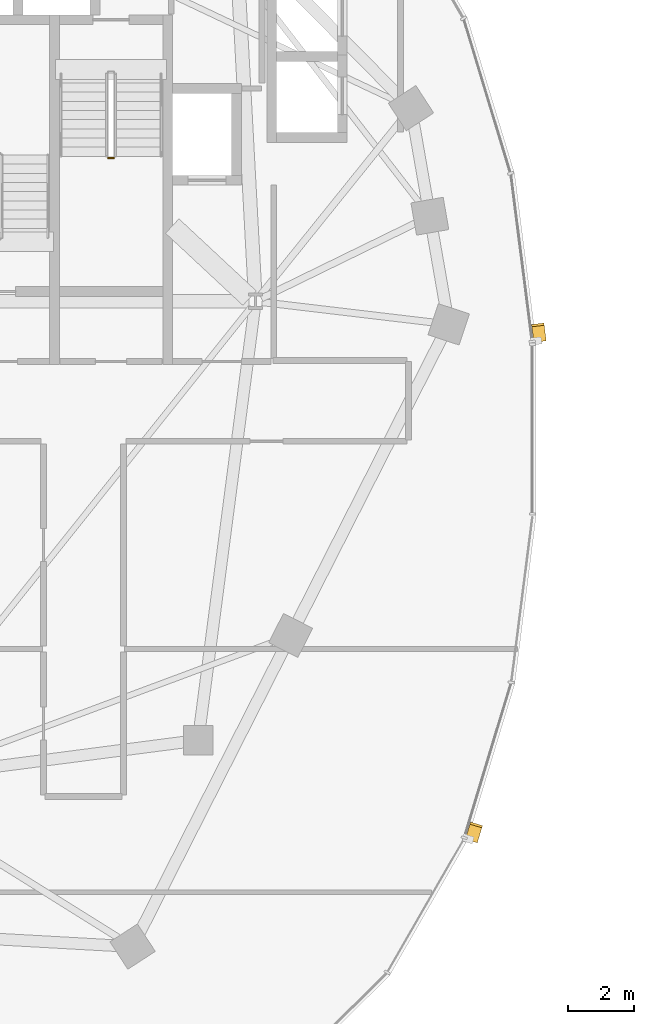
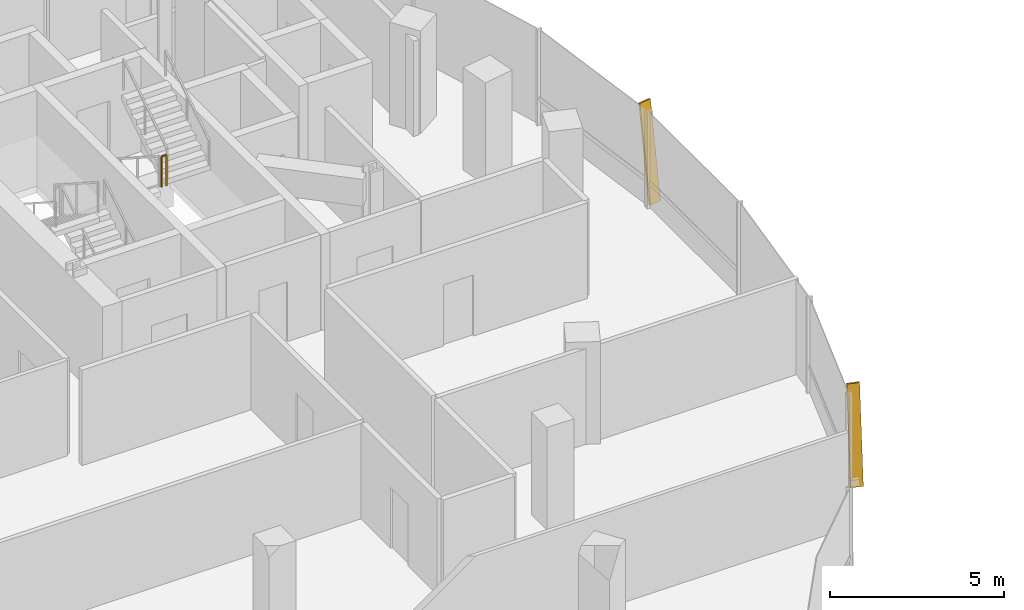
# One storey, part 20 of 23: 2 shading devices, 1 railing.
"""IFC4 building model written with IfcOpenShell, lengths in metres."""

from ifc_helpers import new_model, si_unit, direction, frame, origin, origin_2d, place, context, subcontext, project, spatial, rectangle, extrude, material, material_profile, profile_set, type_object, element, save


model = new_model("IFC4")

# Units and contexts
model_context = context("Model", 3, precision=1e-05, world=origin(), true_north=direction((0.0, 1.0)))
body_context = subcontext(model_context, "Body", "Model", "MODEL_VIEW")
ifc_project = project(units=[si_unit("LENGTHUNIT", "METRE"), si_unit("AREAUNIT", "SQUARE_METRE"), si_unit("VOLUMEUNIT", "CUBIC_METRE"), si_unit("PLANEANGLEUNIT", "RADIAN"), si_unit("MASSUNIT", "GRAM", prefix="KILO"), si_unit("THERMODYNAMICTEMPERATUREUNIT", "KELVIN"), si_unit("POWERUNIT", "WATT")], contexts=[model_context])

# Site, building, storey
site_placement = place(None, origin())
site = spatial("IfcSite", under=ifc_project, at=site_placement, CompositionType="ELEMENT")
building_placement = place(site_placement, origin())
building = spatial("IfcBuilding", under=site, at=building_placement, Name="Cundina Bronze Exchange", CompositionType="ELEMENT")
storey_placement = place(building_placement, frame((0.0, 0.0, 176.39990234375)))
storey = spatial("IfcBuildingStorey", under=building, at=storey_placement, Name="L46", CompositionType="ELEMENT", Elevation=176.39990234375)

# Railing
ifc_material_1 = material(Name="Steel ASTM A36 Painted", Category="steel")
railing_type = type_object("IfcRailingType", Name="RLG-STG-1100", PredefinedType="GUARDRAIL", material=ifc_material_1)
railing_placement = place(storey_placement, frame((-25.93994140625, 8.280029296875, 1.800048828125)))
element("IfcRailing", 1, at=railing_placement, inside=storey, type_object=railing_type, Name="L46 ST-W2 stair guard 2", PredefinedType="GUARDRAIL", context=body_context, shape_type="SweptSolid", body=[
    extrude(rectangle(XDim=0.048095703125, YDim=0.048095703125, at=origin_2d()), frame((0.0, 0.0, 1.076171875), z_axis=(1.0, 0.0, 0.0), x_axis=(0.0, 1.0, 0.0)), (0.0, 0.0, 1.0), 0.159912109375),
    extrude(rectangle(XDim=0.0419921875, YDim=0.0419921875, at=origin_2d()), origin(), (0.0, 0.0, 1.0), 1.052001953125),
    extrude(rectangle(XDim=0.0419921875, YDim=0.0419921875, at=origin_2d()), frame((0.159912109375, 0.0, 0.0)), (0.0, 0.0, 1.0), 1.052001953125),
])

# Shading devices
ifc_material_2 = material(Name="Anodised Bronze Aluminium 6063-T6", Category="aluminium")
ifc_material_profile = material_profile(ifc_material_2, rectangle(XDim=0.070068359375, YDim=0.3798828125, at=origin_2d()), Name="FIN70X380", Category="aluminium")
ifc_profile_set = profile_set([ifc_material_profile], Name="Anodised Bronze Aluminium 6063-T6")
shading_device_type = type_object("IfcShadingDeviceType", Name="SHD-FIN-BRZ380", PredefinedType="USERDEFINED", material=ifc_profile_set)
for number, where, z_axis, x_axis, name in (
    (2, (-12.76513671875, 2.705810546875, 0.02001953125), (-0.018121805099, 0.141917750773, 0.989712560391), (0.125360789044, -0.981741119016, 0.143070080046), "L46 Diagonal Bronze Solar Fin 1"),
    (3, (-14.848876953125, -12.5439453125, 0.02001953125), (0.041483395017, 0.136967981441, 0.989706471636), (-0.286882504107, -0.947215566191, 0.143112193758), "L46 Diagonal Bronze Solar Fin 5"),
):
    element("IfcShadingDevice", number, at=place(storey_placement, frame(where, z_axis=z_axis, x_axis=x_axis)), inside=storey, type_object=shading_device_type, Name=name, ObjectType="FIN", PredefinedType="USERDEFINED", context=body_context, shape_type="SweptSolid", body=[
        extrude(rectangle(XDim=0.070068359375, YDim=0.3798828125, at=origin_2d()), origin(), (0.0, 0.0, 1.0), 3.3544921875),
    ])

save(model, "model.ifc")
